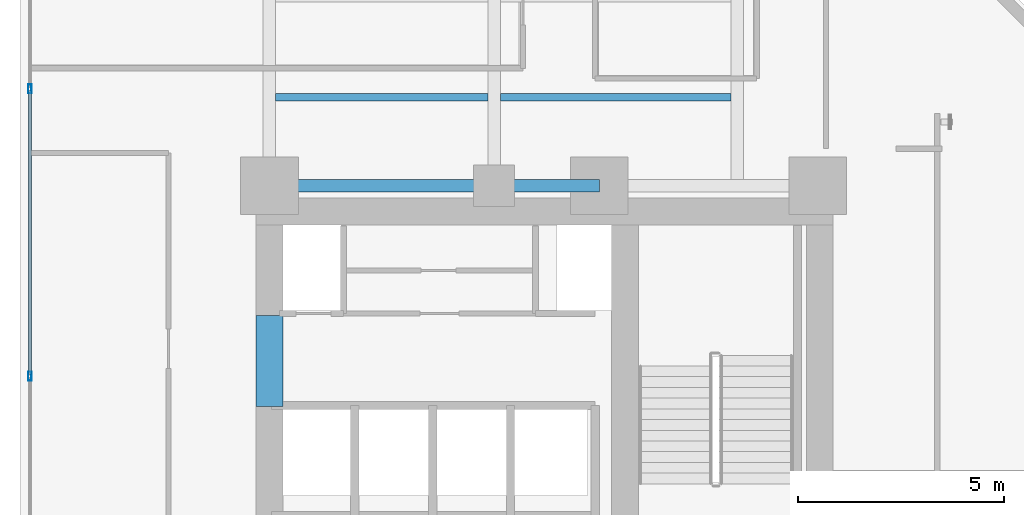
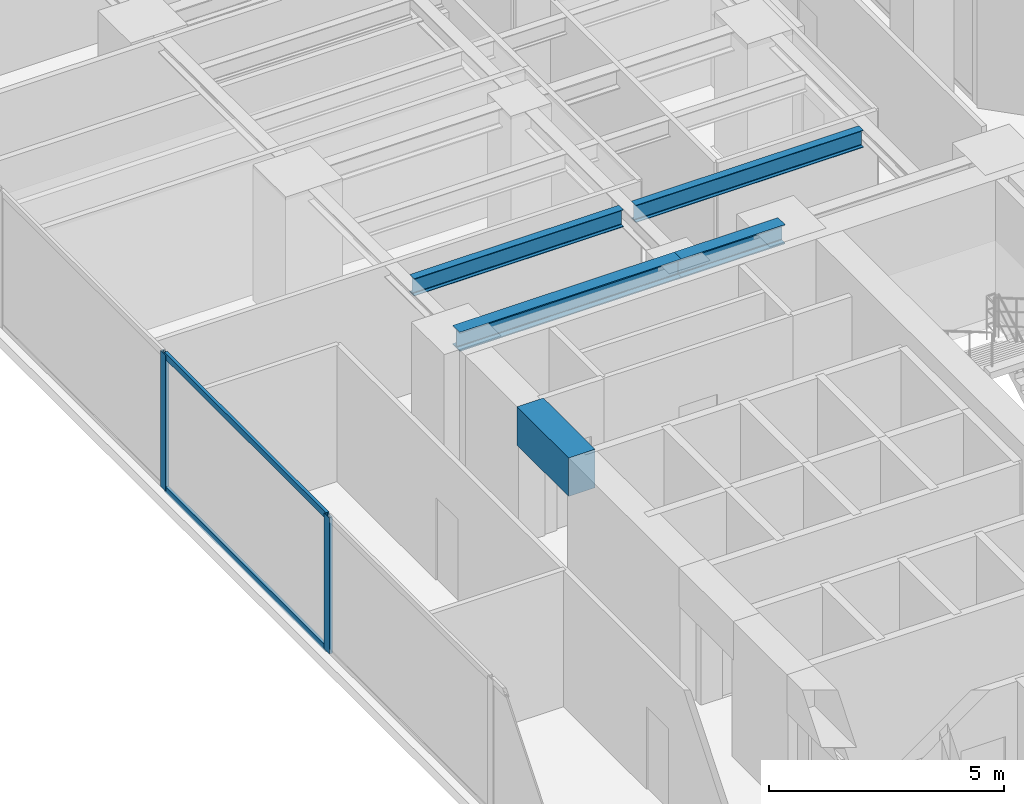
# One storey, part 7 of 28: 5 beams, 4 members, 1 element without a shape of its own.
"""IFC4 building model written with IfcOpenShell, lengths in metres."""

from ifc_helpers import new_model, si_unit, direction, frame, origin, origin_with_axes, origin_2d, place, context, subcontext, project, spatial, rectangle, hollow_rectangle, i_section, extrude, source, transform, mapped, material, layer, layer_set, material_profile, profile_set, type_object, element, aggregate, save


model = new_model("IFC4")

# Units and contexts
model_context = context("Model", 3, precision=1e-05, world=origin(), true_north=direction((0.0, 1.0)))
body_context = subcontext(model_context, "Body", "Model", "MODEL_VIEW")
ifc_project = project(units=[si_unit("LENGTHUNIT", "METRE"), si_unit("AREAUNIT", "SQUARE_METRE"), si_unit("VOLUMEUNIT", "CUBIC_METRE"), si_unit("PLANEANGLEUNIT", "RADIAN"), si_unit("MASSUNIT", "GRAM", prefix="KILO")], contexts=[model_context])

# Site, building, storey
site_placement = place(None, origin())
site = spatial("IfcSite", under=ifc_project, at=site_placement, CompositionType="ELEMENT")
building_placement = place(site_placement, origin())
building = spatial("IfcBuilding", under=site, at=building_placement, Name="Kolvaren Waterfront Exchange", CompositionType="ELEMENT")
storey_placement = place(building_placement, frame((0.0, 0.0, 114.5)))
storey = spatial("IfcBuildingStorey", under=building, at=storey_placement, Name="L29", CompositionType="ELEMENT", Elevation=114.5)

# Beams
ifc_material_1 = material(Name="Steel S355", Category="steel")
ifc_material_profile_1 = material_profile(ifc_material_1, i_section(OverallWidth=0.300048828125, OverallDepth=0.5, WebThickness=0.014404296875, FlangeThickness=0.028076171875, FilletRadius=0.027099609375, at=origin_2d()), Name="HEB500")
ifc_profile_set_1 = profile_set([ifc_material_profile_1], Name="Steel S355")
beam_type_1 = type_object("IfcBeamType", Name="STR-BM-HEB500", PredefinedType="BEAM", material=ifc_profile_set_1)
beam_1_placement = place(storey_placement, frame((7.449951171875, 24.449951171875, 3.2900390625), z_axis=(1.0, 0.0, 0.0), x_axis=(0.0, 1.0, 0.0)))
element("IfcBeam", 1, at=beam_1_placement, inside=storey, type_object=beam_type_1, Name="L29 north-arm girder 1A", PredefinedType="BEAM", context=body_context, shape_type="SweptSolid", body=[
    extrude(i_section(OverallWidth=0.300048828125, OverallDepth=0.5, WebThickness=0.014404296875, FlangeThickness=0.028076171875, FilletRadius=0.027099609375, at=origin_2d()), origin(), (0.0, 0.0, 1.0), 5.449951171875),
])
beam_2_placement = place(storey_placement, frame((12.89990234375, 24.449951171875, 3.2900390625), z_axis=(1.0, 0.0, 0.0), x_axis=(0.0, 1.0, 0.0)))
element("IfcBeam", 2, at=beam_2_placement, inside=storey, type_object=beam_type_1, Name="L29 north-arm girder 1B", PredefinedType="BEAM", context=body_context, shape_type="SweptSolid", body=[
    extrude(i_section(OverallWidth=0.300048828125, OverallDepth=0.5, WebThickness=0.014404296875, FlangeThickness=0.028076171875, FilletRadius=0.027099609375, at=origin_2d()), origin(), (0.0, 0.0, 1.0), 2.550048828125),
])
ifc_material_profile_2 = material_profile(ifc_material_1, i_section(OverallWidth=0.18994140625, OverallDepth=0.449951171875, WebThickness=0.009521484375, FlangeThickness=0.0146484375, FilletRadius=0.02099609375, at=origin_2d()), Name="IPE450")
ifc_profile_set_2 = profile_set([ifc_material_profile_2], Name="Steel S355")
beam_type_2 = type_object("IfcBeamType", Name="STR-BM-IPE450", PredefinedType="JOIST", material=ifc_profile_set_2)
beam_3_placement = place(storey_placement, frame((7.60205078125, 26.60009765625, 3.31494140625), z_axis=(1.0, 0.0, 0.0), x_axis=(0.0, 1.0, 0.0)))
element("IfcBeam", 3, at=beam_3_placement, inside=storey, type_object=beam_type_2, Name="L29 north-arm composite joist 1A", PredefinedType="JOIST", context=body_context, shape_type="SweptSolid", body=[
    extrude(i_section(OverallWidth=0.18994140625, OverallDepth=0.449951171875, WebThickness=0.009521484375, FlangeThickness=0.0146484375, FilletRadius=0.02099609375, at=origin_2d()), origin(), (0.0, 0.0, 1.0), 5.14599609375),
])
beam_4_placement = place(storey_placement, frame((13.052001953125, 26.60009765625, 3.31494140625), z_axis=(1.0, 0.0, 0.0), x_axis=(0.0, 1.0, 0.0)))
element("IfcBeam", 4, at=beam_4_placement, inside=storey, type_object=beam_type_2, Name="L29 north-arm composite joist 1B", PredefinedType="JOIST", context=body_context, shape_type="SweptSolid", body=[
    extrude(i_section(OverallWidth=0.18994140625, OverallDepth=0.449951171875, WebThickness=0.009521484375, FlangeThickness=0.0146484375, FilletRadius=0.02099609375, at=origin_2d()), origin(), (0.0, 0.0, 1.0), 5.595947265625),
])
ifc_material_2 = material(Name="Concrete C60/75", Category="concrete")
ifc_material_profile_3 = material_profile(ifc_material_2, rectangle(XDim=0.64990234375, YDim=1.0, at=origin_2d()), Name="RC-CB-1000x650")
ifc_profile_set_3 = profile_set([ifc_material_profile_3], Name="Concrete C60/75")
beam_type_3 = type_object("IfcBeamType", Name="STR-CB-1000", PredefinedType="SPANDREL", material=ifc_profile_set_3)
beam_5_placement = place(storey_placement, frame((7.449951171875, 19.10009765625, 3.0400390625), z_axis=(0.0, 1.0, 0.0), x_axis=(-1.0, 0.0, 0.0)))
element("IfcBeam", 5, at=beam_5_placement, inside=storey, type_object=beam_type_3, Name="L29 core coupling beam 5", PredefinedType="SPANDREL", context=body_context, shape_type="SweptSolid", body=[
    extrude(rectangle(XDim=0.64990234375, YDim=1.0, at=origin_2d()), origin(), (0.0, 0.0, 1.0), 2.199951171875),
])

# Curtain wall, members
ifc_material_3 = material(Name="Anodised aluminium 6063-T6", Category="aluminium")
ifc_layer = layer(ifc_material_3, 0.219970703125, Name="Anodised aluminium 6063-T6")
ifc_layer_set = layer_set([ifc_layer], Name="Anodised aluminium 6063-T6")
curtain_wall_type = type_object("IfcCurtainWallType", Name="ARC-CW-SYS2", PredefinedType="USERDEFINED", material=ifc_layer_set)
curtain_wall_placement = place(storey_placement, origin())
curtain_wall = element("IfcCurtainWall", 6, at=curtain_wall_placement, inside=storey, type_object=curtain_wall_type, Name="L29 stick curtain wall CW2 (CW-L29-W)", ObjectType="STICK CURTAIN WALL", PredefinedType="USERDEFINED")
ifc_material_profile_4 = material_profile(ifc_material_3, hollow_rectangle(XDim=0.080078125, YDim=0.219970703125, WallThickness=0.0048828125, at=origin_2d()), Name="ALU-MUL-220x80x5")
ifc_profile_set_4 = profile_set([ifc_material_profile_4], Name="Anodised aluminium 6063-T6")
member_type_1 = type_object("IfcMemberType", Name="ARC-CWM-220", PredefinedType="MULLION", material=ifc_profile_set_4)
shared_shape_1 = source(origin_with_axes(), body_context, "Body", "SweptSolid", [
    extrude(hollow_rectangle(XDim=0.080078125, YDim=0.219970703125, WallThickness=0.0048828125, at=origin_2d()), origin(), (0.0, 0.0, 1.0), 3.5400390625),
])
member_1_placement = place(storey_placement, frame((1.639892578125, 19.833251953125, 0.0), z_axis=(0.0, 0.0, 1.0), x_axis=(-1.0, 0.0, 0.0)))
member_1 = element("IfcMember", 7, at=member_1_placement, type_object=member_type_1, Name="CW2 mullion 3", PredefinedType="MULLION", context=body_context, shape_type="MappedRepresentation", body=[
    mapped(shared_shape_1, transform((0.0, 0.0, 0.0), x_axis=(1.0, 0.0, 0.0), y_axis=(0.0, 1.0, 0.0), z_axis=(0.0, 0.0, 1.0), scale=1.0)),
])
member_2_placement = place(storey_placement, frame((1.639892578125, 26.800048828125, 0.0), z_axis=(0.0, 0.0, 1.0), x_axis=(-1.0, 0.0, 0.0)))
member_2 = element("IfcMember", 8, at=member_2_placement, type_object=member_type_1, Name="CW2 mullion 4", PredefinedType="MULLION", context=body_context, shape_type="MappedRepresentation", body=[
    mapped(shared_shape_1, transform((0.0, 0.0, 0.0), x_axis=(1.0, 0.0, 0.0), y_axis=(0.0, 1.0, 0.0), z_axis=(0.0, 0.0, 1.0), scale=1.0)),
])
ifc_material_profile_5 = material_profile(ifc_material_3, hollow_rectangle(XDim=0.074951171875, YDim=0.159912109375, WallThickness=0.00439453125, at=origin_2d()), Name="ALU-TRN-160x75x4.5")
ifc_profile_set_5 = profile_set([ifc_material_profile_5], Name="Anodised aluminium 6063-T6")
member_type_2 = type_object("IfcMemberType", Name="ARC-CWT-160", PredefinedType="USERDEFINED", material=ifc_profile_set_5)
shared_shape_2 = source(origin_with_axes(), body_context, "Body", "SweptSolid", [
    extrude(hollow_rectangle(XDim=0.074951171875, YDim=0.159912109375, WallThickness=0.00439453125, at=origin_2d()), origin(), (0.0, 0.0, 1.0), 6.88671875),
])
member_3_placement = place(storey_placement, frame((1.639892578125, 19.873291015625, 0.03759765625), z_axis=(0.0, 1.0, 0.0), x_axis=(-1.0, 0.0, 0.0)))
member_3 = element("IfcMember", 9, at=member_3_placement, type_object=member_type_2, Name="CW2 transom 3.1", ObjectType="TRANSOM", PredefinedType="USERDEFINED", context=body_context, shape_type="MappedRepresentation", body=[
    mapped(shared_shape_2, transform((0.0, 0.0, 0.0), x_axis=(1.0, 0.0, 0.0), y_axis=(0.0, 1.0, 0.0), z_axis=(0.0, 0.0, 1.0), scale=1.0)),
])
member_4_placement = place(storey_placement, frame((1.639892578125, 19.873291015625, 3.50244140625), z_axis=(0.0, 1.0, 0.0), x_axis=(-1.0, 0.0, 0.0)))
member_4 = element("IfcMember", 10, at=member_4_placement, type_object=member_type_2, Name="CW2 transom 3.2", ObjectType="TRANSOM", PredefinedType="USERDEFINED", context=body_context, shape_type="MappedRepresentation", body=[
    mapped(shared_shape_2, transform((0.0, 0.0, 0.0), x_axis=(1.0, 0.0, 0.0), y_axis=(0.0, 1.0, 0.0), z_axis=(0.0, 0.0, 1.0), scale=1.0)),
])
aggregate(curtain_wall, [member_1, member_2, member_3, member_4])

save(model, "model.ifc")
